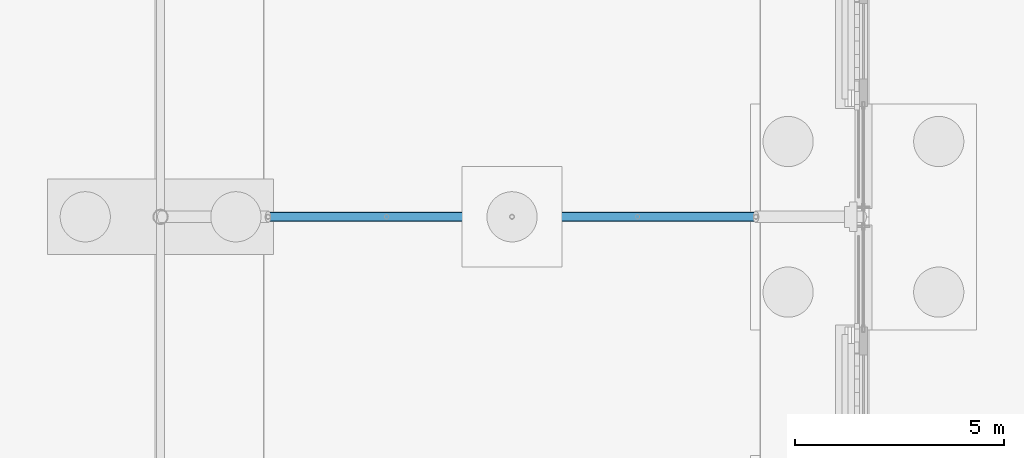
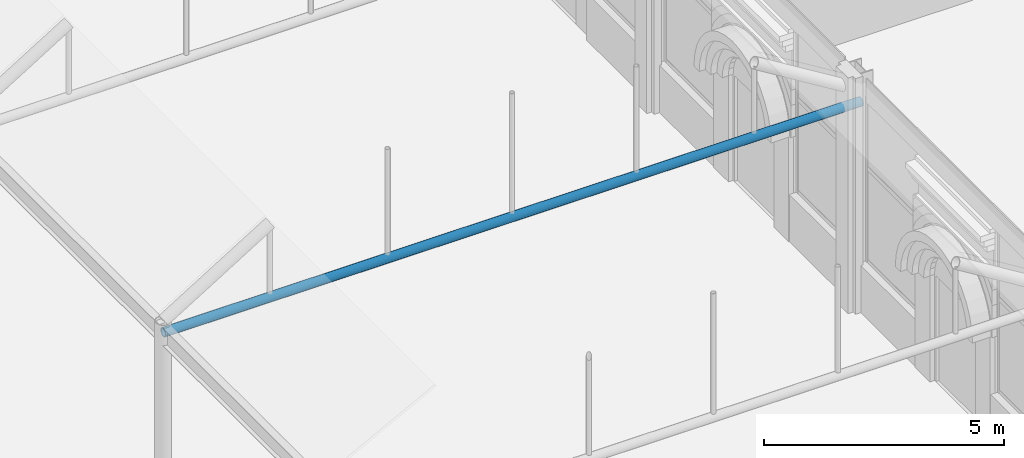
# One storey, part 149 of 212: 1 beam.
"""IFC4 building model written with IfcOpenShell, lengths in metres."""

from ifc_helpers import new_model, si_unit, direction, frame, origin, origin_2d, place, context, subcontext, project, spatial, hollow_circle, extrude, material, material_profile, profile_set, type_object, element, save


model = new_model("IFC4")

# Units and contexts
model_context = context("Model", 3, precision=1e-05, world=origin(), true_north=direction((0.0, 1.0)))
body_context = subcontext(model_context, "Body", "Model", "MODEL_VIEW")
ifc_project = project(units=[si_unit("LENGTHUNIT", "METRE"), si_unit("AREAUNIT", "SQUARE_METRE"), si_unit("VOLUMEUNIT", "CUBIC_METRE"), si_unit("PLANEANGLEUNIT", "RADIAN"), si_unit("MASSUNIT", "GRAM", prefix="KILO")], contexts=[model_context])

# Site, building, storey
site_placement = place(None, origin())
site = spatial("IfcSite", under=ifc_project, at=site_placement, CompositionType="ELEMENT")
building_placement = place(site_placement, origin())
building = spatial("IfcBuilding", under=site, at=building_placement, Name="Catenary Quay Ferry Terminal", CompositionType="ELEMENT")
storey_placement = place(building_placement, origin())
storey = spatial("IfcBuildingStorey", under=building, at=storey_placement, Name="L00", CompositionType="ELEMENT", Elevation=0.0)

# Beam
ifc_material = material(Name="Steel S355", Category="steel")
ifc_material_profile = material_profile(ifc_material, hollow_circle(Radius=0.109619140625, WallThickness=0.010009765625, at=origin_2d()), Name="CHS 219.1x10")
ifc_profile_set = profile_set([ifc_material_profile], Name="Steel S355")
beam_type = type_object("IfcBeamType", Name="TB2 CHS 219.1x10", PredefinedType="BEAM", material=ifc_profile_set)
beam_placement = place(storey_placement, frame((8.39990234375, 184.800048828125, 5.10009765625), z_axis=(1.0, 0.0, 0.0), x_axis=(0.0, 1.0, 0.0)))
element("IfcBeam", 1, at=beam_placement, inside=storey, type_object=beam_type, Name="tie beam FC-15", PredefinedType="BEAM", context=body_context, shape_type="SweptSolid", body=[
    extrude(hollow_circle(Radius=0.109619140625, WallThickness=0.010009765625, at=origin_2d()), origin(), (0.0, 0.0, 1.0), 16.800048828125),
])

save(model, "model.ifc")
